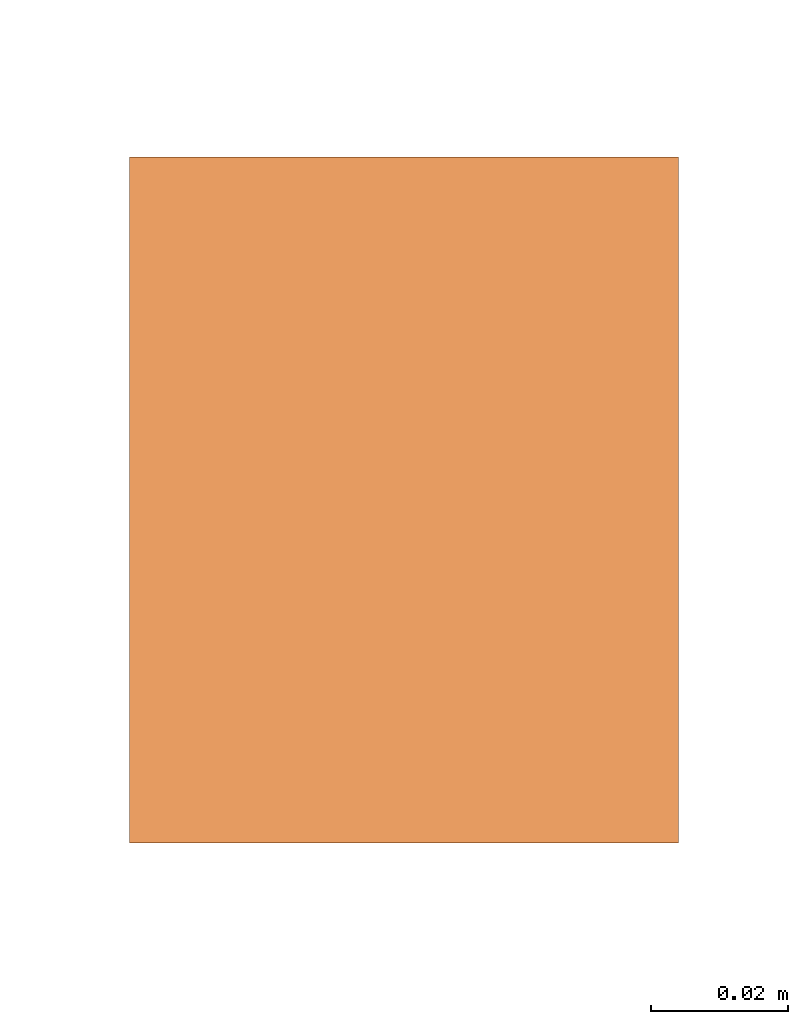
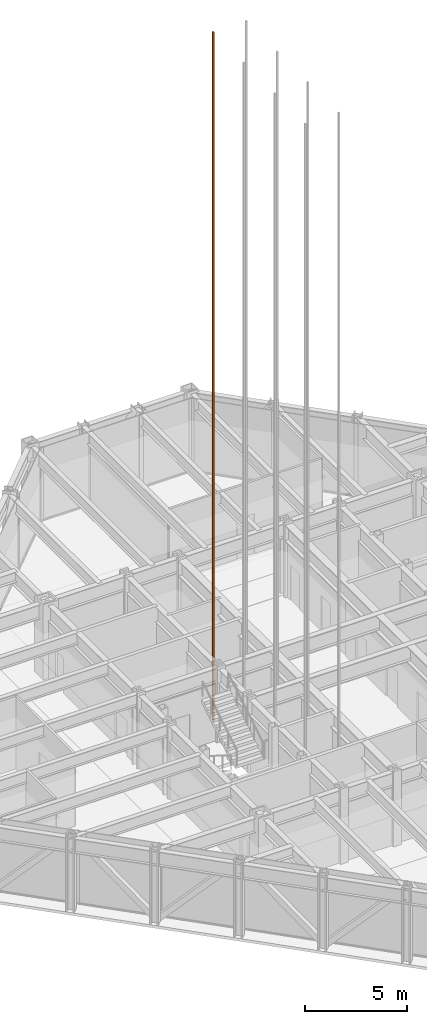
# One storey, part 23 of 24: 1 proxy.
"""IFC4 building model written with IfcOpenShell, lengths in metres."""

from ifc_helpers import new_model, si_unit, direction, frame, origin, origin_2d, place, context, subcontext, project, spatial, rectangle, extrude, material, type_object, element, save


model = new_model("IFC4")

# Units and contexts
model_context = context("Model", 3, precision=1e-05, world=origin(), true_north=direction((0.0, 1.0)))
body_context = subcontext(model_context, "Body", "Model", "MODEL_VIEW")
ifc_project = project(units=[si_unit("LENGTHUNIT", "METRE"), si_unit("AREAUNIT", "SQUARE_METRE"), si_unit("VOLUMEUNIT", "CUBIC_METRE"), si_unit("PLANEANGLEUNIT", "RADIAN"), si_unit("MASSUNIT", "GRAM", prefix="KILO")], contexts=[model_context])

# Site, building, storey
site_placement = place(None, origin())
site = spatial("IfcSite", under=ifc_project, at=site_placement, CompositionType="ELEMENT")
building_placement = place(site_placement, origin())
building = spatial("IfcBuilding", under=site, at=building_placement, Name="Chuquiago Exchange Tower", CompositionType="ELEMENT")
storey_placement = place(building_placement, frame((0.0, 0.0, 257.699951171875)))
storey = spatial("IfcBuildingStorey", under=building, at=storey_placement, Name="L57", CompositionType="ELEMENT", Elevation=257.699951171875)

# Proxy
ifc_material = material(Name="Galvanised steel guide rail", Category="steel")
building_element_proxy_type = type_object("IfcBuildingElementProxyType", Name="LR lift guide rail", PredefinedType="NOTDEFINED", material=ifc_material)
proxy_placement = place(storey_placement, frame((17.06494140625, 25.5, 0.0), z_axis=(0.0, 0.0, 1.0), x_axis=(1.0, 0.0, 0.0)))
element("IfcBuildingElementProxy", 1, at=proxy_placement, inside=storey, type_object=building_element_proxy_type, Name="Lift LD4 guide rail W", PredefinedType="NOTDEFINED", context=body_context, shape_type="SweptSolid", body=[
    extrude(rectangle(XDim=0.080078125, YDim=0.10009765625, at=origin_2d()), origin(), (0.0, 0.0, 1.0), 41.0),
])

save(model, "model.ifc")
